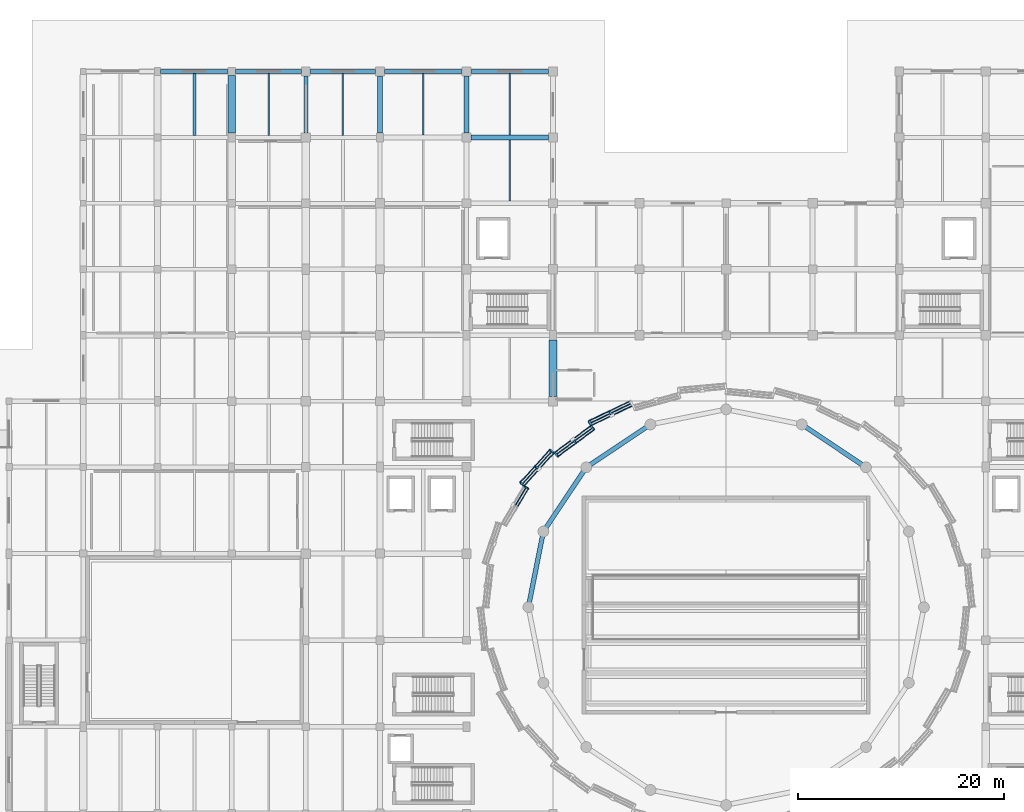
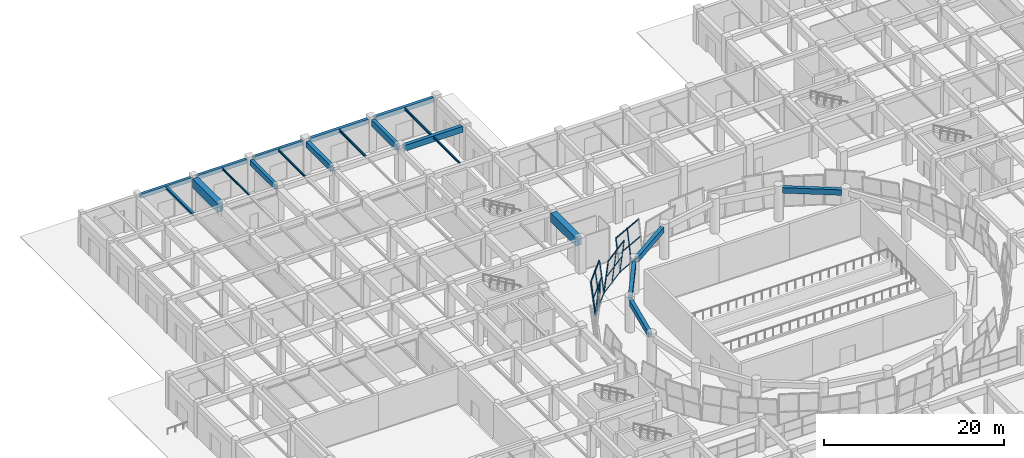
# One storey, part 31 of 72: 29 members, 21 beams, 4 elements without a shape of their own.
"""IFC4 building model written with IfcOpenShell, lengths in metres."""

from ifc_helpers import new_model, si_unit, direction, frame, origin, origin_2d, place, context, subcontext, project, spatial, rectangle, hollow_rectangle, i_section, extrude, material, material_profile, profile_set, type_object, element, aggregate, save


model = new_model("IFC4")

# Units and contexts
model_context = context("Model", 3, precision=1e-05, world=origin(), true_north=direction((0.0, 1.0)))
body_context = subcontext(model_context, "Body", "Model", "MODEL_VIEW")
ifc_project = project(units=[si_unit("LENGTHUNIT", "METRE"), si_unit("AREAUNIT", "SQUARE_METRE"), si_unit("VOLUMEUNIT", "CUBIC_METRE"), si_unit("PLANEANGLEUNIT", "RADIAN"), si_unit("MASSUNIT", "GRAM", prefix="KILO")], contexts=[model_context])

# Site, building, storey
site_placement = place(None, origin())
site = spatial("IfcSite", under=ifc_project, at=site_placement, CompositionType="ELEMENT")
building_placement = place(site_placement, origin())
building = spatial("IfcBuilding", under=site, at=building_placement, Name="Korsvaeld Concert Hall", CompositionType="ELEMENT")
storey_placement = place(building_placement, origin())
storey = spatial("IfcBuildingStorey", under=building, at=storey_placement, Name="L00", CompositionType="ELEMENT", Elevation=0.0)

# Beams
ifc_material_1 = material(Name="Concrete C35/45", Category="concrete")
ifc_material_profile_1 = material_profile(ifc_material_1, rectangle(XDim=0.39990234375, YDim=0.699951171875, at=origin_2d()), Name="RC 400x700")
ifc_profile_set_1 = profile_set([ifc_material_profile_1], Name="Concrete C35/45")
beam_type_1 = type_object("IfcBeamType", Name="BM-RC-400x700", PredefinedType="T_BEAM", material=ifc_profile_set_1)
beam_1_placement = place(storey_placement, frame((43.199951171875, 109.25, 4.090087890625), z_axis=(0.0, 1.0, 0.0), x_axis=(-1.0, 0.0, 0.0)))
element("IfcBeam", 1, at=beam_1_placement, inside=storey, type_object=beam_type_1, Name="Primary girder 7/R-S L00", PredefinedType="T_BEAM", context=body_context, shape_type="SweptSolid", body=[
    extrude(rectangle(XDim=0.39990234375, YDim=0.699951171875, at=origin_2d()), origin(), (0.0, 0.0, 1.0), 5.52490234375),
])
ifc_material_profile_2 = material_profile(ifc_material_1, rectangle(XDim=0.449951171875, YDim=0.75, at=origin_2d()), Name="RC 450x750")
ifc_profile_set_2 = profile_set([ifc_material_profile_2], Name="Concrete C35/45")
beam_type_2 = type_object("IfcBeamType", Name="BM-RC-450x750", PredefinedType="T_BEAM", material=ifc_profile_set_2)
for number, where, z_axis, x_axis, name in (
    (2, (97.202392578125, 77.026611328125, 4.06494140625), (-0.83148573347, 0.55554610523, 0.0), (-0.55554610523, -0.83148573347, 0.0), "Drum ring floor girder L00 03"),
    (3, (76.2783203125, 80.6884765625, 4.06494140625), (-0.83148573347, -0.55554610523, 0.0), (0.55554610523, -0.83148573347, 0.0), "Drum ring floor girder L00 06"),
    (4, (70.173583984375, 76.40234375, 4.06494140625), (-0.555571711953, -0.831468624109, 0.0), (0.831468624109, -0.555571711953, 0.0), "Drum ring floor girder L00 07"),
    (5, (66.173583984375, 70.106201171875, 4.06494140625), (-0.195083214432, -0.980786694163, 0.0), (0.980786694163, -0.195083214432, 0.0), "Drum ring floor girder L00 08"),
):
    element("IfcBeam", number, at=place(storey_placement, frame(where, z_axis=z_axis, x_axis=x_axis)), inside=storey, type_object=beam_type_2, Name=name, PredefinedType="T_BEAM", context=body_context, shape_type="SweptSolid", body=[
        extrude(rectangle(XDim=0.449951171875, YDim=0.75, at=origin_2d()), origin(), (0.0, 0.0, 1.0), 6.591552734375),
    ])
ifc_material_profile_3 = material_profile(ifc_material_1, rectangle(XDim=0.449951171875, YDim=0.800048828125, at=origin_2d()), Name="RC 450x800")
ifc_profile_set_3 = profile_set([ifc_material_profile_3], Name="Concrete C35/45")
beam_type_3 = type_object("IfcBeamType", Name="BM-RC-450x800", PredefinedType="T_BEAM", material=ifc_profile_set_3)
beam_2_placement = place(storey_placement, frame((59.25, 108.800048828125, 4.0400390625), z_axis=(1.0, 0.0, 0.0), x_axis=(0.0, 1.0, 0.0)))
element("IfcBeam", 6, at=beam_2_placement, inside=storey, type_object=beam_type_3, Name="Primary girder 9-10/R L00", PredefinedType="T_BEAM", context=body_context, shape_type="SweptSolid", body=[
    extrude(rectangle(XDim=0.449951171875, YDim=0.800048828125, at=origin_2d()), origin(), (0.0, 0.0, 1.0), 7.5),
])
beam_3_placement = place(storey_placement, frame((50.39990234375, 109.25, 4.0400390625), z_axis=(0.0, 1.0, 0.0), x_axis=(-1.0, 0.0, 0.0)))
element("IfcBeam", 7, at=beam_3_placement, inside=storey, type_object=beam_type_3, Name="Primary girder 8/R-S L00", PredefinedType="T_BEAM", context=body_context, shape_type="SweptSolid", body=[
    extrude(rectangle(XDim=0.449951171875, YDim=0.800048828125, at=origin_2d()), origin(), (0.0, 0.0, 1.0), 5.5),
])
ifc_material_2 = material(Name="Concrete C40/50", Category="concrete")
ifc_material_profile_4 = material_profile(ifc_material_2, rectangle(XDim=0.449951171875, YDim=0.85009765625, at=origin_2d()), Name="RC 450x850")
ifc_profile_set_4 = profile_set([ifc_material_profile_4], Name="Concrete C40/50")
beam_type_4 = type_object("IfcBeamType", Name="BM-RC-450x850", PredefinedType="T_BEAM", material=ifc_profile_set_4)
beam_4_placement = place(storey_placement, frame((58.800048828125, 109.25, 4.014892578125), z_axis=(0.0, 1.0, 0.0), x_axis=(-1.0, 0.0, 0.0)))
element("IfcBeam", 8, at=beam_4_placement, inside=storey, type_object=beam_type_4, Name="Primary girder 9/R-S L00", PredefinedType="T_BEAM", context=body_context, shape_type="SweptSolid", body=[
    extrude(rectangle(XDim=0.449951171875, YDim=0.85009765625, at=origin_2d()), origin(), (0.0, 0.0, 1.0), 5.52490234375),
])
ifc_material_profile_5 = material_profile(ifc_material_2, rectangle(XDim=0.75, YDim=1.199951171875, at=origin_2d()), Name="RC 750x1200")
ifc_profile_set_5 = profile_set([ifc_material_profile_5], Name="Concrete C40/50")
beam_type_5 = type_object("IfcBeamType", Name="BM-RC-750x1200", PredefinedType="T_BEAM", material=ifc_profile_set_5)
beam_5_placement = place(storey_placement, frame((36.0, 109.25, 3.840087890625), z_axis=(0.0, 1.0, 0.0), x_axis=(-1.0, 0.0, 0.0)))
element("IfcBeam", 9, at=beam_5_placement, inside=storey, type_object=beam_type_5, Name="Primary girder 6/R-S L00", PredefinedType="T_BEAM", context=body_context, shape_type="SweptSolid", body=[
    extrude(rectangle(XDim=0.75, YDim=1.199951171875, at=origin_2d()), origin(), (0.0, 0.0, 1.0), 5.574951171875),
])
beam_6_placement = place(storey_placement, frame((67.199951171875, 83.64990234375, 3.840087890625), z_axis=(0.0, 1.0, 0.0), x_axis=(-1.0, 0.0, 0.0)))
element("IfcBeam", 10, at=beam_6_placement, inside=storey, type_object=beam_type_5, Name="Primary girder 10/M-N L00", PredefinedType="T_BEAM", context=body_context, shape_type="SweptSolid", body=[
    extrude(rectangle(XDim=0.75, YDim=1.199951171875, at=origin_2d()), origin(), (0.0, 0.0, 1.0), 5.5),
])
ifc_material_profile_6 = material_profile(ifc_material_1, rectangle(XDim=0.35009765625, YDim=0.550048828125, at=origin_2d()), Name="RC 350x550")
ifc_profile_set_6 = profile_set([ifc_material_profile_6], Name="Concrete C35/45")
beam_type_6 = type_object("IfcBeamType", Name="BM-SP-350x550", PredefinedType="SPANDREL", material=ifc_profile_set_6)
beam_7_placement = place(storey_placement, frame((29.10009765625, 115.199951171875, 4.1650390625), z_axis=(1.0, 0.0, 0.0), x_axis=(0.0, 1.0, 0.0)))
element("IfcBeam", 11, at=beam_7_placement, inside=storey, type_object=beam_type_6, Name="Primary girder 5-6/S L00", PredefinedType="SPANDREL", context=body_context, shape_type="SweptSolid", body=[
    extrude(rectangle(XDim=0.35009765625, YDim=0.550048828125, at=origin_2d()), origin(), (0.0, 0.0, 1.0), 6.52490234375),
])
beam_8_placement = place(storey_placement, frame((36.375, 115.199951171875, 4.1650390625), z_axis=(1.0, 0.0, 0.0), x_axis=(0.0, 1.0, 0.0)))
element("IfcBeam", 12, at=beam_8_placement, inside=storey, type_object=beam_type_6, Name="Primary girder 6-7/S L00", PredefinedType="SPANDREL", context=body_context, shape_type="SweptSolid", body=[
    extrude(rectangle(XDim=0.35009765625, YDim=0.550048828125, at=origin_2d()), origin(), (0.0, 0.0, 1.0), 6.39990234375),
])
beam_9_placement = place(storey_placement, frame((43.625, 115.199951171875, 4.1650390625), z_axis=(1.0, 0.0, 0.0), x_axis=(0.0, 1.0, 0.0)))
element("IfcBeam", 13, at=beam_9_placement, inside=storey, type_object=beam_type_6, Name="Primary girder 7-8/S L00", PredefinedType="SPANDREL", context=body_context, shape_type="SweptSolid", body=[
    extrude(rectangle(XDim=0.35009765625, YDim=0.550048828125, at=origin_2d()), origin(), (0.0, 0.0, 1.0), 6.324951171875),
])
ifc_material_profile_7 = material_profile(ifc_material_1, rectangle(XDim=0.39990234375, YDim=0.60009765625, at=origin_2d()), Name="RC 400x600")
ifc_profile_set_7 = profile_set([ifc_material_profile_7], Name="Concrete C35/45")
beam_type_7 = type_object("IfcBeamType", Name="BM-SP-400x600", PredefinedType="SPANDREL", material=ifc_profile_set_7)
beam_10_placement = place(storey_placement, frame((50.85009765625, 115.199951171875, 4.139892578125), z_axis=(1.0, 0.0, 0.0), x_axis=(0.0, 1.0, 0.0)))
element("IfcBeam", 14, at=beam_10_placement, inside=storey, type_object=beam_type_7, Name="Primary girder 8-9/S L00", PredefinedType="SPANDREL", context=body_context, shape_type="SweptSolid", body=[
    extrude(rectangle(XDim=0.39990234375, YDim=0.60009765625, at=origin_2d()), origin(), (0.0, 0.0, 1.0), 7.52490234375),
])
beam_11_placement = place(storey_placement, frame((59.22509765625, 115.199951171875, 4.139892578125), z_axis=(1.0, 0.0, 0.0), x_axis=(0.0, 1.0, 0.0)))
element("IfcBeam", 15, at=beam_11_placement, inside=storey, type_object=beam_type_7, Name="Primary girder 9-10/S L00", PredefinedType="SPANDREL", context=body_context, shape_type="SweptSolid", body=[
    extrude(rectangle(XDim=0.39990234375, YDim=0.60009765625, at=origin_2d()), origin(), (0.0, 0.0, 1.0), 7.5498046875),
])
ifc_material_3 = material(Name="Steel S355J2", Category="steel")
ifc_material_profile_8 = material_profile(ifc_material_3, i_section(OverallWidth=0.300048828125, OverallDepth=0.35009765625, WebThickness=0.010009765625, FlangeThickness=0.017578125, FilletRadius=0.027099609375, at=origin_2d()), Name="HEA 360")
ifc_profile_set_8 = profile_set([ifc_material_profile_8], Name="Steel S355J2")
beam_type_8 = type_object("IfcBeamType", Name="BM-STL-HEA360", PredefinedType="BEAM", material=ifc_profile_set_8)
beam_12_placement = place(storey_placement, frame((32.39990234375, 109.0, 4.264892578125), z_axis=(0.0, 1.0, 0.0), x_axis=(-1.0, 0.0, 0.0)))
element("IfcBeam", 16, at=beam_12_placement, inside=storey, type_object=beam_type_8, Name="Secondary steel floor beam 5-6/R L00", PredefinedType="BEAM", context=body_context, shape_type="SweptSolid", body=[
    extrude(i_section(OverallWidth=0.300048828125, OverallDepth=0.35009765625, WebThickness=0.010009765625, FlangeThickness=0.017578125, FilletRadius=0.027099609375, at=origin_2d()), origin(), (0.0, 0.0, 1.0), 6.02490234375),
])
ifc_material_profile_9 = material_profile(ifc_material_3, i_section(OverallWidth=0.1201171875, OverallDepth=0.239990234375, WebThickness=0.006103515625, FlangeThickness=0.009765625, FilletRadius=0.014892578125, at=origin_2d()), Name="IPE 240")
ifc_profile_set_9 = profile_set([ifc_material_profile_9], Name="Steel S355J2")
beam_type_9 = type_object("IfcBeamType", Name="BM-STL-IPE240", PredefinedType="JOIST", material=ifc_profile_set_9)
beam_13_placement = place(storey_placement, frame((39.60009765625, 109.0, 4.320068359375), z_axis=(0.0, 1.0, 0.0), x_axis=(-1.0, 0.0, 0.0)))
element("IfcBeam", 17, at=beam_13_placement, inside=storey, type_object=beam_type_9, Name="Secondary steel floor beam 6-7/R L00", PredefinedType="JOIST", context=body_context, shape_type="SweptSolid", body=[
    extrude(i_section(OverallWidth=0.1201171875, OverallDepth=0.239990234375, WebThickness=0.006103515625, FlangeThickness=0.009765625, FilletRadius=0.014892578125, at=origin_2d()), origin(), (0.0, 0.0, 1.0), 6.02490234375),
])
ifc_material_profile_10 = material_profile(ifc_material_3, i_section(OverallWidth=0.135009765625, OverallDepth=0.27001953125, WebThickness=0.006591796875, FlangeThickness=0.01025390625, FilletRadius=0.014892578125, at=origin_2d()), Name="IPE 270")
ifc_profile_set_10 = profile_set([ifc_material_profile_10], Name="Steel S355J2")
beam_type_10 = type_object("IfcBeamType", Name="BM-STL-IPE270", PredefinedType="JOIST", material=ifc_profile_set_10)
beam_14_placement = place(storey_placement, frame((46.800048828125, 109.0, 4.304931640625), z_axis=(0.0, 1.0, 0.0), x_axis=(-1.0, 0.0, 0.0)))
element("IfcBeam", 18, at=beam_14_placement, inside=storey, type_object=beam_type_10, Name="Secondary steel floor beam 7-8/R L00", PredefinedType="JOIST", context=body_context, shape_type="SweptSolid", body=[
    extrude(i_section(OverallWidth=0.135009765625, OverallDepth=0.27001953125, WebThickness=0.006591796875, FlangeThickness=0.01025390625, FilletRadius=0.014892578125, at=origin_2d()), origin(), (0.0, 0.0, 1.0), 6.02490234375),
])
beam_15_placement = place(storey_placement, frame((63.0, 102.625, 4.304931640625), z_axis=(0.0, 1.0, 0.0), x_axis=(-1.0, 0.0, 0.0)))
element("IfcBeam", 19, at=beam_15_placement, inside=storey, type_object=beam_type_10, Name="Secondary steel floor beam 9-10/Q L00", PredefinedType="JOIST", context=body_context, shape_type="SweptSolid", body=[
    extrude(i_section(OverallWidth=0.135009765625, OverallDepth=0.27001953125, WebThickness=0.006591796875, FlangeThickness=0.01025390625, FilletRadius=0.014892578125, at=origin_2d()), origin(), (0.0, 0.0, 1.0), 5.949951171875),
])
ifc_material_profile_11 = material_profile(ifc_material_3, i_section(OverallWidth=0.14990234375, OverallDepth=0.300048828125, WebThickness=0.007080078125, FlangeThickness=0.0107421875, FilletRadius=0.014892578125, at=origin_2d()), Name="IPE 300")
ifc_profile_set_11 = profile_set([ifc_material_profile_11], Name="Steel S355J2")
beam_type_11 = type_object("IfcBeamType", Name="BM-STL-IPE300", PredefinedType="JOIST", material=ifc_profile_set_11)
beam_16_placement = place(storey_placement, frame((54.60009765625, 109.02490234375, 4.2900390625), z_axis=(0.0, 1.0, 0.0), x_axis=(-1.0, 0.0, 0.0)))
element("IfcBeam", 20, at=beam_16_placement, inside=storey, type_object=beam_type_11, Name="Secondary steel floor beam 8-9/R L00", PredefinedType="JOIST", context=body_context, shape_type="SweptSolid", body=[
    extrude(i_section(OverallWidth=0.14990234375, OverallDepth=0.300048828125, WebThickness=0.007080078125, FlangeThickness=0.0107421875, FilletRadius=0.014892578125, at=origin_2d()), origin(), (0.0, 0.0, 1.0), 5.97509765625),
])
ifc_material_profile_12 = material_profile(ifc_material_3, i_section(OverallWidth=0.159912109375, OverallDepth=0.330078125, WebThickness=0.007568359375, FlangeThickness=0.011474609375, FilletRadius=0.01806640625, at=origin_2d()), Name="IPE 330")
ifc_profile_set_12 = profile_set([ifc_material_profile_12], Name="Steel S355J2")
beam_type_12 = type_object("IfcBeamType", Name="BM-STL-IPE330", PredefinedType="BEAM", material=ifc_profile_set_12)
beam_17_placement = place(storey_placement, frame((63.0, 109.02490234375, 4.27490234375), z_axis=(0.0, 1.0, 0.0), x_axis=(-1.0, 0.0, 0.0)))
element("IfcBeam", 21, at=beam_17_placement, inside=storey, type_object=beam_type_12, Name="Secondary steel floor beam 9-10/R L00", PredefinedType="BEAM", context=body_context, shape_type="SweptSolid", body=[
    extrude(i_section(OverallWidth=0.159912109375, OverallDepth=0.330078125, WebThickness=0.007568359375, FlangeThickness=0.011474609375, FilletRadius=0.01806640625, at=origin_2d()), origin(), (0.0, 0.0, 1.0), 5.97509765625),
])

# Curtain wall, members
ifc_material_4 = material(Name="Anodised bronze and ceramic-fritted safety glass", Category="glass")
curtain_wall_type_1 = type_object("IfcCurtainWallType", Name="CW-TYPE-04", PredefinedType="USERDEFINED", material=ifc_material_4)
curtain_wall_1_placement = place(storey_placement, origin())
curtain_wall_1 = element("IfcCurtainWall", 22, at=curtain_wall_1_placement, inside=storey, type_object=curtain_wall_type_1, Name="Crystal curtain-wall facet L00 F12", ObjectType="CURTAIN WALL", PredefinedType="USERDEFINED")
ifc_material_5 = material(Name="Anodised architectural bronze aluminium", Category="aluminium")
ifc_material_profile_13 = material_profile(ifc_material_5, hollow_rectangle(XDim=0.074951171875, YDim=0.179931640625, WallThickness=0.0048828125, at=origin_2d()), Name="CWM 180x75x5")
ifc_profile_set_13 = profile_set([ifc_material_profile_13], Name="Anodised architectural bronze aluminium")
member_type_1 = type_object("IfcMemberType", Name="CWM-BRONZE-180x75", PredefinedType="MULLION", material=ifc_profile_set_13)
member_1_placement = place(storey_placement, frame((70.8583984375, 80.804931640625, 0.0), z_axis=(0.076345198991, -0.083600700172, 0.99357049751), x_axis=(0.977470985896, -0.190384528217, -0.091127400637)))
member_1 = element("IfcMember", 23, at=member_1_placement, type_object=member_type_1, Name="CW-CRYS-L00-F12 crystal mullion 1", PredefinedType="MULLION", context=body_context, shape_type="SweptSolid", body=[
    extrude(hollow_rectangle(XDim=0.074951171875, YDim=0.179931640625, WallThickness=0.0048828125, at=origin_2d()), origin(), (0.0, 0.0, 1.0), 4.509033203125),
])
member_2_placement = place(storey_placement, frame((69.100341796875, 79.509033203125, 0.0), z_axis=(0.076345198991, -0.083600700172, 0.99357049751), x_axis=(0.977470985896, -0.190384528217, -0.091127400637)))
member_2 = element("IfcMember", 24, at=member_2_placement, type_object=member_type_1, Name="CW-CRYS-L00-F12 crystal mullion 2", PredefinedType="MULLION", context=body_context, shape_type="SweptSolid", body=[
    extrude(hollow_rectangle(XDim=0.074951171875, YDim=0.179931640625, WallThickness=0.0048828125, at=origin_2d()), origin(), (0.0, 0.0, 1.0), 4.509033203125),
])
member_3_placement = place(storey_placement, frame((67.342529296875, 78.212890625, 0.0), z_axis=(0.076345544466, -0.083546932703, 0.993574993584), x_axis=(0.977534797756, -0.190071839955, -0.091095635634)))
member_3 = element("IfcMember", 25, at=member_3_placement, type_object=member_type_1, Name="CW-CRYS-L00-F12 crystal mullion 3", PredefinedType="MULLION", context=body_context, shape_type="SweptSolid", body=[
    extrude(hollow_rectangle(XDim=0.074951171875, YDim=0.179931640625, WallThickness=0.0048828125, at=origin_2d()), origin(), (0.0, 0.0, 1.0), 4.509033203125),
])

# Curtain wall, member
curtain_wall_type_2 = type_object("IfcCurtainWallType", Name="CW-TYPE-06", PredefinedType="USERDEFINED", material=ifc_material_4)
curtain_wall_2_placement = place(storey_placement, origin())
curtain_wall_2 = element("IfcCurtainWall", 26, at=curtain_wall_2_placement, inside=storey, type_object=curtain_wall_type_2, Name="Crystal curtain-wall facet L00 F14", ObjectType="CURTAIN WALL", PredefinedType="USERDEFINED")
member_4_placement = place(storey_placement, frame((64.358154296875, 74.94580078125, 0.0), z_axis=(0.102064294294, -0.049001690364, 0.993570185831), x_axis=(0.829955472375, 0.554817257188, -0.057894084342)))
member_4 = element("IfcMember", 27, at=member_4_placement, type_object=member_type_1, Name="CW-CRYS-L00-F14 crystal mullion 1", PredefinedType="MULLION", context=body_context, shape_type="SweptSolid", body=[
    extrude(hollow_rectangle(XDim=0.074951171875, YDim=0.179931640625, WallThickness=0.0048828125, at=origin_2d()), origin(), (0.0, 0.0, 1.0), 4.509033203125),
])

# Curtain wall, members
curtain_wall_type_3 = type_object("IfcCurtainWallType", Name="CW-TYPE-03", PredefinedType="USERDEFINED", material=ifc_material_4)
curtain_wall_3_placement = place(storey_placement, origin())
curtain_wall_3 = element("IfcCurtainWall", 28, at=curtain_wall_3_placement, inside=storey, type_object=curtain_wall_type_3, Name="Crystal curtain-wall facet L00 F11", ObjectType="CURTAIN WALL", PredefinedType="USERDEFINED")
ifc_material_profile_14 = material_profile(ifc_material_5, hollow_rectangle(XDim=0.074951171875, YDim=0.219970703125, WallThickness=0.006103515625, at=origin_2d()), Name="CWM 220x75x6")
ifc_profile_set_14 = profile_set([ifc_material_profile_14], Name="Anodised architectural bronze aluminium")
member_type_2 = type_object("IfcMemberType", Name="CWM-BRONZE-220x75", PredefinedType="MULLION", material=ifc_profile_set_14)
member_5_placement = place(storey_placement, frame((72.9287109375, 81.806640625, 0.0), z_axis=(-0.057935542332, 0.097299223898, 0.993567478314), x_axis=(-0.830127221005, 0.548149109363, -0.102085017766)))
member_5 = element("IfcMember", 29, at=member_5_placement, type_object=member_type_2, Name="CW-CRYS-L00-F11 crystal mullion 2", PredefinedType="MULLION", context=body_context, shape_type="SweptSolid", body=[
    extrude(hollow_rectangle(XDim=0.074951171875, YDim=0.219970703125, WallThickness=0.006103515625, at=origin_2d()), origin(), (0.0, 0.0, 1.0), 4.509033203125),
])
member_6_placement = place(storey_placement, frame((70.92236328125, 80.843505859375, 0.0), z_axis=(-0.057881883309, 0.097245895625, 0.993575826683), x_axis=(-0.830039893738, 0.548293630811, -0.102018964978)))
member_6 = element("IfcMember", 30, at=member_6_placement, type_object=member_type_2, Name="CW-CRYS-L00-F11 crystal mullion 3", PredefinedType="MULLION", context=body_context, shape_type="SweptSolid", body=[
    extrude(hollow_rectangle(XDim=0.074951171875, YDim=0.219970703125, WallThickness=0.006103515625, at=origin_2d()), origin(), (0.0, 0.0, 1.0), 4.509033203125),
])

curtain_wall_type_4 = type_object("IfcCurtainWallType", Name="CW-TYPE-05", PredefinedType="USERDEFINED", material=ifc_material_4)
curtain_wall_4_placement = place(storey_placement, origin())
curtain_wall_4 = element("IfcCurtainWall", 31, at=curtain_wall_4_placement, inside=storey, type_object=curtain_wall_type_4, Name="Crystal curtain-wall facet L00 F13", ObjectType="CURTAIN WALL", PredefinedType="USERDEFINED")
member_7_placement = place(storey_placement, frame((67.287109375, 78.1630859375, 0.0), z_axis=(-0.09112718909, 0.06714065031, 0.993573333219), x_axis=(-0.977453652229, -0.196864681131, -0.076345628997)))
member_7 = element("IfcMember", 32, at=member_7_placement, type_object=member_type_2, Name="CW-CRYS-L00-F13 crystal mullion 1", PredefinedType="MULLION", context=body_context, shape_type="SweptSolid", body=[
    extrude(hollow_rectangle(XDim=0.074951171875, YDim=0.219970703125, WallThickness=0.006103515625, at=origin_2d()), origin(), (0.0, 0.0, 1.0), 4.509033203125),
])
member_8_placement = place(storey_placement, frame((65.8447265625, 76.58447265625, 0.0), z_axis=(-0.09112718909, 0.06714065031, 0.993573333219), x_axis=(-0.977453652229, -0.196864681131, -0.076345628997)))
member_8 = element("IfcMember", 33, at=member_8_placement, type_object=member_type_2, Name="CW-CRYS-L00-F13 crystal mullion 2", PredefinedType="MULLION", context=body_context, shape_type="SweptSolid", body=[
    extrude(hollow_rectangle(XDim=0.074951171875, YDim=0.219970703125, WallThickness=0.006103515625, at=origin_2d()), origin(), (0.0, 0.0, 1.0), 4.509033203125),
])
member_9_placement = place(storey_placement, frame((64.402587890625, 75.005859375, 0.0), z_axis=(-0.09112718909, 0.06714065031, 0.993573333219), x_axis=(-0.977453652229, -0.196864681131, -0.076345628997)))
member_9 = element("IfcMember", 34, at=member_9_placement, type_object=member_type_2, Name="CW-CRYS-L00-F13 crystal mullion 3", PredefinedType="MULLION", context=body_context, shape_type="SweptSolid", body=[
    extrude(hollow_rectangle(XDim=0.074951171875, YDim=0.219970703125, WallThickness=0.006103515625, at=origin_2d()), origin(), (0.0, 0.0, 1.0), 4.509033203125),
])

# Member
ifc_material_profile_15 = material_profile(ifc_material_5, hollow_rectangle(XDim=0.074951171875, YDim=0.14990234375, WallThickness=0.0048828125, at=origin_2d()), Name="CWT 150x75x5")
ifc_profile_set_15 = profile_set([ifc_material_profile_15], Name="Anodised architectural bronze aluminium")
member_type_3 = type_object("IfcMemberType", Name="CWT-BRONZE-150x75", PredefinedType="USERDEFINED", material=ifc_profile_set_15)
member_10_placement = place(storey_placement, frame((74.8994140625, 82.756591796875, 0.030029296875), z_axis=(-0.901508884705, -0.432760592935, 0.0), x_axis=(0.432760592935, -0.901508884705, 0.0)))
member_10 = element("IfcMember", 35, at=member_10_placement, type_object=member_type_3, Name="CW-CRYS-L00-F11 crystal transom 1.1", ObjectType="TRANSOM", PredefinedType="USERDEFINED", context=body_context, shape_type="SweptSolid", body=[
    extrude(hollow_rectangle(XDim=0.074951171875, YDim=0.14990234375, WallThickness=0.0048828125, at=origin_2d()), origin(), (0.0, 0.0, 1.0), 2.150634765625),
])

member_11_placement = place(storey_placement, frame((74.7705078125, 82.97314453125, 2.239990234375), z_axis=(-0.901464591462, -0.432852850679, 0.0), x_axis=(0.432852850679, -0.901464591462, 0.0)))
member_11 = element("IfcMember", 36, at=member_11_placement, type_object=member_type_3, Name="CW-CRYS-L00-F11 crystal transom 1.2", ObjectType="TRANSOM", PredefinedType="USERDEFINED", context=body_context, shape_type="SweptSolid", body=[
    extrude(hollow_rectangle(XDim=0.074951171875, YDim=0.14990234375, WallThickness=0.0048828125, at=origin_2d()), origin(), (0.0, 0.0, 1.0), 2.150634765625),
])

member_12_placement = place(storey_placement, frame((74.641845703125, 83.189453125, 4.449951171875), z_axis=(-0.901464591462, -0.432852850679, 0.0), x_axis=(0.432852850679, -0.901464591462, 0.0)))
member_12 = element("IfcMember", 37, at=member_12_placement, type_object=member_type_3, Name="CW-CRYS-L00-F11 crystal transom 1.3", ObjectType="TRANSOM", PredefinedType="USERDEFINED", context=body_context, shape_type="SweptSolid", body=[
    extrude(hollow_rectangle(XDim=0.074951171875, YDim=0.14990234375, WallThickness=0.0048828125, at=origin_2d()), origin(), (0.0, 0.0, 1.0), 2.150634765625),
])

member_13_placement = place(storey_placement, frame((72.89306640625, 81.79345703125, 0.030029296875), z_axis=(-0.901464591462, -0.432852850679, 0.0), x_axis=(0.432852850679, -0.901464591462, 0.0)))
member_13 = element("IfcMember", 38, at=member_13_placement, type_object=member_type_3, Name="CW-CRYS-L00-F11 crystal transom 2.1", ObjectType="TRANSOM", PredefinedType="USERDEFINED", context=body_context, shape_type="SweptSolid", body=[
    extrude(hollow_rectangle(XDim=0.074951171875, YDim=0.14990234375, WallThickness=0.0048828125, at=origin_2d()), origin(), (0.0, 0.0, 1.0), 2.150634765625),
])

member_14_placement = place(storey_placement, frame((72.764404296875, 82.009765625, 2.239990234375), z_axis=(-0.901508884705, -0.432760592935, 0.0), x_axis=(0.432760592935, -0.901508884705, 0.0)))
member_14 = element("IfcMember", 39, at=member_14_placement, type_object=member_type_3, Name="CW-CRYS-L00-F11 crystal transom 2.2", ObjectType="TRANSOM", PredefinedType="USERDEFINED", context=body_context, shape_type="SweptSolid", body=[
    extrude(hollow_rectangle(XDim=0.074951171875, YDim=0.14990234375, WallThickness=0.0048828125, at=origin_2d()), origin(), (0.0, 0.0, 1.0), 2.150634765625),
])

member_15_placement = place(storey_placement, frame((72.635498046875, 82.22607421875, 4.449951171875), z_axis=(-0.901508884705, -0.432760592935, 0.0), x_axis=(0.432760592935, -0.901508884705, 0.0)))
member_15 = element("IfcMember", 40, at=member_15_placement, type_object=member_type_3, Name="CW-CRYS-L00-F11 crystal transom 2.3", ObjectType="TRANSOM", PredefinedType="USERDEFINED", context=body_context, shape_type="SweptSolid", body=[
    extrude(hollow_rectangle(XDim=0.074951171875, YDim=0.14990234375, WallThickness=0.0048828125, at=origin_2d()), origin(), (0.0, 0.0, 1.0), 2.150634765625),
])

aggregate(curtain_wall_3, [member_5, member_6, member_10, member_11, member_12, member_13, member_14, member_15])

member_16_placement = place(storey_placement, frame((70.830322265625, 80.7802734375, 0.030029296875), z_axis=(-0.804849215574, -0.593479351107, 0.0), x_axis=(0.593479351107, -0.804849215574, 0.0)))
member_16 = element("IfcMember", 41, at=member_16_placement, type_object=member_type_3, Name="CW-CRYS-L00-F12 crystal transom 1.1", ObjectType="TRANSOM", PredefinedType="USERDEFINED", context=body_context, shape_type="SweptSolid", body=[
    extrude(hollow_rectangle(XDim=0.074951171875, YDim=0.14990234375, WallThickness=0.0048828125, at=origin_2d()), origin(), (0.0, 0.0, 1.0), 2.109130859375),
])

member_17_placement = place(storey_placement, frame((71.000244140625, 80.59423828125, 2.239990234375), z_axis=(-0.804904507896, -0.593404358906, 0.0), x_axis=(0.593404358906, -0.804904507896, 0.0)))
member_17 = element("IfcMember", 42, at=member_17_placement, type_object=member_type_3, Name="CW-CRYS-L00-F12 crystal transom 1.2", ObjectType="TRANSOM", PredefinedType="USERDEFINED", context=body_context, shape_type="SweptSolid", body=[
    extrude(hollow_rectangle(XDim=0.074951171875, YDim=0.14990234375, WallThickness=0.0048828125, at=origin_2d()), origin(), (0.0, 0.0, 1.0), 2.10888671875),
])

member_18_placement = place(storey_placement, frame((71.170166015625, 80.408447265625, 4.449951171875), z_axis=(-0.804904507896, -0.593404358906, 0.0), x_axis=(0.593404358906, -0.804904507896, 0.0)))
member_18 = element("IfcMember", 43, at=member_18_placement, type_object=member_type_3, Name="CW-CRYS-L00-F12 crystal transom 1.3", ObjectType="TRANSOM", PredefinedType="USERDEFINED", context=body_context, shape_type="SweptSolid", body=[
    extrude(hollow_rectangle(XDim=0.074951171875, YDim=0.14990234375, WallThickness=0.0048828125, at=origin_2d()), origin(), (0.0, 0.0, 1.0), 2.10888671875),
])

member_19_placement = place(storey_placement, frame((69.072509765625, 79.484130859375, 0.030029296875), z_axis=(-0.804904507896, -0.593404358906, 0.0), x_axis=(0.593404358906, -0.804904507896, 0.0)))
member_19 = element("IfcMember", 44, at=member_19_placement, type_object=member_type_3, Name="CW-CRYS-L00-F12 crystal transom 2.1", ObjectType="TRANSOM", PredefinedType="USERDEFINED", context=body_context, shape_type="SweptSolid", body=[
    extrude(hollow_rectangle(XDim=0.074951171875, YDim=0.14990234375, WallThickness=0.0048828125, at=origin_2d()), origin(), (0.0, 0.0, 1.0), 2.10888671875),
])

member_20_placement = place(storey_placement, frame((69.242431640625, 79.29833984375, 2.239990234375), z_axis=(-0.804904507896, -0.593404358906, 0.0), x_axis=(0.593404358906, -0.804904507896, 0.0)))
member_20 = element("IfcMember", 45, at=member_20_placement, type_object=member_type_3, Name="CW-CRYS-L00-F12 crystal transom 2.2", ObjectType="TRANSOM", PredefinedType="USERDEFINED", context=body_context, shape_type="SweptSolid", body=[
    extrude(hollow_rectangle(XDim=0.074951171875, YDim=0.14990234375, WallThickness=0.0048828125, at=origin_2d()), origin(), (0.0, 0.0, 1.0), 2.10888671875),
])

member_21_placement = place(storey_placement, frame((69.412109375, 79.1123046875, 4.449951171875), z_axis=(-0.804904507896, -0.593404358906, 0.0), x_axis=(0.593404358906, -0.804904507896, 0.0)))
member_21 = element("IfcMember", 46, at=member_21_placement, type_object=member_type_3, Name="CW-CRYS-L00-F12 crystal transom 2.3", ObjectType="TRANSOM", PredefinedType="USERDEFINED", context=body_context, shape_type="SweptSolid", body=[
    extrude(hollow_rectangle(XDim=0.074951171875, YDim=0.14990234375, WallThickness=0.0048828125, at=origin_2d()), origin(), (0.0, 0.0, 1.0), 2.10888671875),
])

aggregate(curtain_wall_1, [member_1, member_2, member_3, member_16, member_17, member_18, member_19, member_20, member_21])

member_22_placement = place(storey_placement, frame((67.259033203125, 78.137451171875, 0.030029296875), z_axis=(-0.674437681465, -0.738331777604, 0.0), x_axis=(0.738331777604, -0.674437681465, 0.0)))
member_22 = element("IfcMember", 47, at=member_22_placement, type_object=member_type_3, Name="CW-CRYS-L00-F13 crystal transom 1.1", ObjectType="TRANSOM", PredefinedType="USERDEFINED", context=body_context, shape_type="SweptSolid", body=[
    extrude(hollow_rectangle(XDim=0.074951171875, YDim=0.14990234375, WallThickness=0.0048828125, at=origin_2d()), origin(), (0.0, 0.0, 1.0), 2.063232421875),
])

member_23_placement = place(storey_placement, frame((67.056396484375, 78.286865234375, 2.239990234375), z_axis=(-0.674502175286, -0.738272859812, 0.0), x_axis=(0.738272859812, -0.674502175286, 0.0)))
member_23 = element("IfcMember", 48, at=member_23_placement, type_object=member_type_3, Name="CW-CRYS-L00-F13 crystal transom 1.2", ObjectType="TRANSOM", PredefinedType="USERDEFINED", context=body_context, shape_type="SweptSolid", body=[
    extrude(hollow_rectangle(XDim=0.074951171875, YDim=0.14990234375, WallThickness=0.0048828125, at=origin_2d()), origin(), (0.0, 0.0, 1.0), 2.0634765625),
])

member_24_placement = place(storey_placement, frame((66.853515625, 78.436279296875, 4.449951171875), z_axis=(-0.674437681465, -0.738331777604, 0.0), x_axis=(0.738331777604, -0.674437681465, 0.0)))
member_24 = element("IfcMember", 49, at=member_24_placement, type_object=member_type_3, Name="CW-CRYS-L00-F13 crystal transom 1.3", ObjectType="TRANSOM", PredefinedType="USERDEFINED", context=body_context, shape_type="SweptSolid", body=[
    extrude(hollow_rectangle(XDim=0.074951171875, YDim=0.14990234375, WallThickness=0.0048828125, at=origin_2d()), origin(), (0.0, 0.0, 1.0), 2.063232421875),
])

member_25_placement = place(storey_placement, frame((65.816650390625, 76.558837890625, 0.030029296875), z_axis=(-0.674437681465, -0.738331777604, 0.0), x_axis=(0.738331777604, -0.674437681465, 0.0)))
member_25 = element("IfcMember", 50, at=member_25_placement, type_object=member_type_3, Name="CW-CRYS-L00-F13 crystal transom 2.1", ObjectType="TRANSOM", PredefinedType="USERDEFINED", context=body_context, shape_type="SweptSolid", body=[
    extrude(hollow_rectangle(XDim=0.074951171875, YDim=0.14990234375, WallThickness=0.0048828125, at=origin_2d()), origin(), (0.0, 0.0, 1.0), 2.063232421875),
])

member_26_placement = place(storey_placement, frame((65.614013671875, 76.708251953125, 2.239990234375), z_axis=(-0.674437681465, -0.738331777604, 0.0), x_axis=(0.738331777604, -0.674437681465, 0.0)))
member_26 = element("IfcMember", 51, at=member_26_placement, type_object=member_type_3, Name="CW-CRYS-L00-F13 crystal transom 2.2", ObjectType="TRANSOM", PredefinedType="USERDEFINED", context=body_context, shape_type="SweptSolid", body=[
    extrude(hollow_rectangle(XDim=0.074951171875, YDim=0.14990234375, WallThickness=0.0048828125, at=origin_2d()), origin(), (0.0, 0.0, 1.0), 2.063232421875),
])

member_27_placement = place(storey_placement, frame((65.411376953125, 76.857666015625, 4.449951171875), z_axis=(-0.674437681465, -0.738331777604, 0.0), x_axis=(0.738331777604, -0.674437681465, 0.0)))
member_27 = element("IfcMember", 52, at=member_27_placement, type_object=member_type_3, Name="CW-CRYS-L00-F13 crystal transom 2.3", ObjectType="TRANSOM", PredefinedType="USERDEFINED", context=body_context, shape_type="SweptSolid", body=[
    extrude(hollow_rectangle(XDim=0.074951171875, YDim=0.14990234375, WallThickness=0.0048828125, at=origin_2d()), origin(), (0.0, 0.0, 1.0), 2.063232421875),
])

aggregate(curtain_wall_4, [member_7, member_8, member_9, member_22, member_23, member_24, member_25, member_26, member_27])

member_28_placement = place(storey_placement, frame((64.569091796875, 74.80322265625, 2.239990234375), z_axis=(-0.511328750939, -0.859385192136, 0.0), x_axis=(0.859385192136, -0.511328750939, 0.0)))
member_28 = element("IfcMember", 53, at=member_28_placement, type_object=member_type_3, Name="CW-CRYS-L00-F14 crystal transom 1.2", ObjectType="TRANSOM", PredefinedType="USERDEFINED", context=body_context, shape_type="SweptSolid", body=[
    extrude(hollow_rectangle(XDim=0.074951171875, YDim=0.14990234375, WallThickness=0.0048828125, at=origin_2d()), origin(), (0.0, 0.0, 1.0), 2.020263671875),
])

member_29_placement = place(storey_placement, frame((64.7958984375, 74.694091796875, 4.449951171875), z_axis=(-0.511292595627, -0.859406703288, 0.0), x_axis=(0.859406703288, -0.511292595627, 0.0)))
member_29 = element("IfcMember", 54, at=member_29_placement, type_object=member_type_3, Name="CW-CRYS-L00-F14 crystal transom 1.3", ObjectType="TRANSOM", PredefinedType="USERDEFINED", context=body_context, shape_type="SweptSolid", body=[
    extrude(hollow_rectangle(XDim=0.074951171875, YDim=0.14990234375, WallThickness=0.0048828125, at=origin_2d()), origin(), (0.0, 0.0, 1.0), 2.019775390625),
])

aggregate(curtain_wall_2, [member_4, member_28, member_29])

save(model, "model.ifc")
